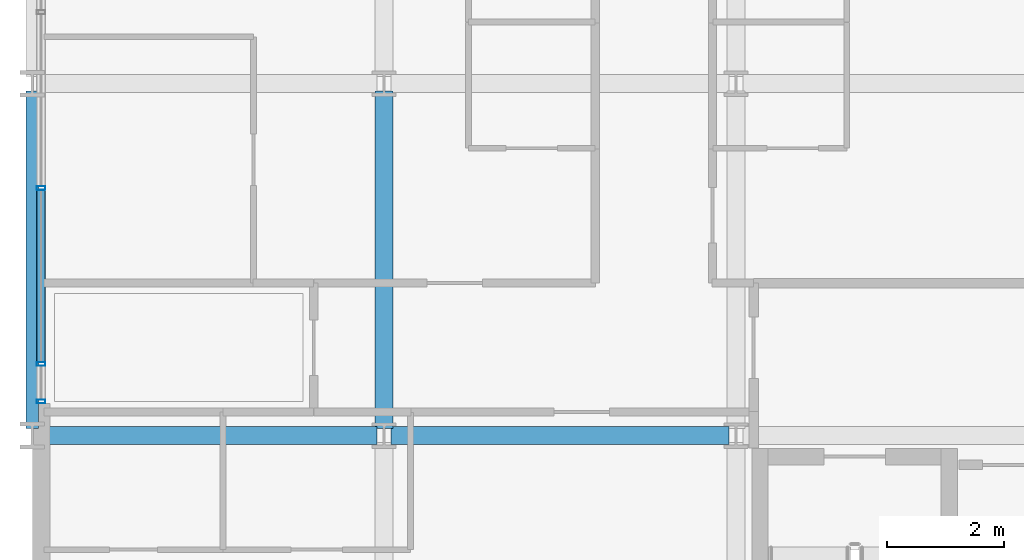
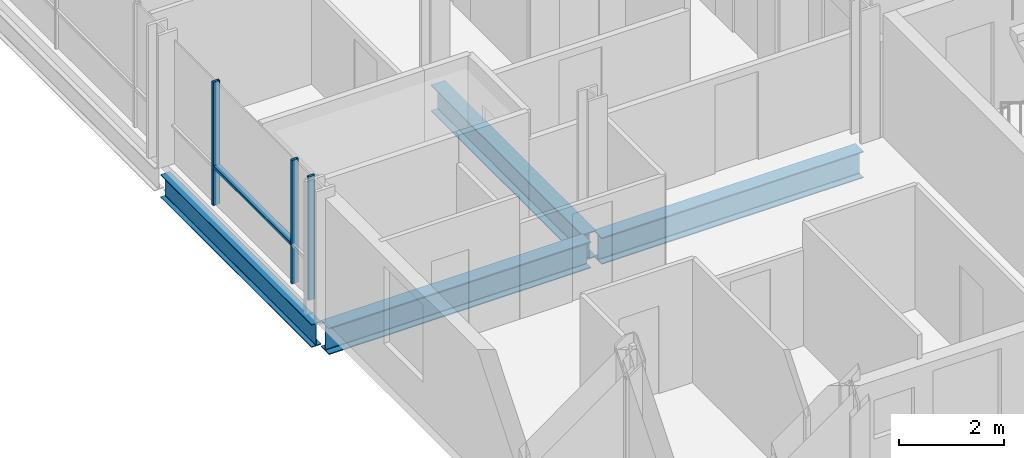
# One storey, part 2 of 40: 4 beams, 4 members, 1 element without a shape of its own.
"""IFC4 building model written with IfcOpenShell, lengths in metres."""

import ifcopenshell
import ifcopenshell.guid

model = None  # the IFC model being written
_history = None  # IfcOwnerHistory: only IFC2X3 demands one
_inside = {}  # id of a spatial element -> (the spatial element, [elements in it])
_under = {}  # id of a project, library or spatial element -> (it, [spatial elements below it])
_declared = {}  # id of a project -> (the project, [libraries it declares])
_typed = {}  # id of a type object -> (the type object, [elements of that type])
_made_of = {}  # id of a material, layer set ... -> (it, [elements and type objects made of it])


def new_model(schema):
    """Start an empty IFC model of exactly this schema.

    Asked for "IFC4X3", IfcOpenShell would pick the latest addendum, in which some entities
    have other attributes; the version numbers below select the first issue.
    IFC2X3 requires an IfcOwnerHistory on every rooted entity: one is made here for all.
    """
    global model, _history
    if schema == "IFC4X3":
        model = ifcopenshell.file(schema_version=(4, 3, 0, 0))
    else:
        model = ifcopenshell.file(schema=schema)
    _inside.clear()
    _under.clear()
    _declared.clear()
    _typed.clear()
    _made_of.clear()
    _history = None
    if model.schema == "IFC2X3":
        org = make("IfcOrganization", Name="unknown")
        user = make(
            "IfcPersonAndOrganization",
            ThePerson=make("IfcPerson", FamilyName="unknown"),
            TheOrganization=org,
        )
        app = make(
            "IfcApplication",
            ApplicationDeveloper=org,
            Version="unknown",
            ApplicationFullName="unknown",
            ApplicationIdentifier="unknown",
        )
        _history = make(
            "IfcOwnerHistory",
            OwningUser=user,
            OwningApplication=app,
            ChangeAction="ADDED",
            CreationDate=0,
        )
    return model


def make(cls, **values):
    """One entity of the class cls with the attributes given. An attribute that is None is left unset."""
    return model.create_entity(
        cls, **{name: value for name, value in values.items() if value is not None}
    )


def rooted(cls, **values):
    """An entity with a GlobalId (a new one), such as an element, a storey or a relation."""
    return make(cls, GlobalId=ifcopenshell.guid.new(), OwnerHistory=_history, **values)


def si_unit(unit_type, name, prefix=None):
    """IfcSIUnit, for example si_unit("LENGTHUNIT", "METRE", prefix="MILLI")."""
    return make("IfcSIUnit", UnitType=unit_type, Prefix=prefix, Name=name)


def assignment(units):
    """IfcUnitAssignment: the units of a project."""
    return None if units is None else make("IfcUnitAssignment", Units=units)


def point(xyz):
    """IfcCartesianPoint."""
    return None if xyz is None else make("IfcCartesianPoint", Coordinates=xyz)


def direction(xyz):
    """IfcDirection."""
    return None if xyz is None else make("IfcDirection", DirectionRatios=xyz)


def frame(location, z_axis=None, x_axis=None):
    """IfcAxis2Placement3D, a coordinate frame: its origin and axes. An axis left out is left unset."""
    return make(
        "IfcAxis2Placement3D",
        Location=point(location),
        Axis=direction(z_axis),
        RefDirection=direction(x_axis),
    )


def frame_2d(location, x_axis=None):
    """IfcAxis2Placement2D, a coordinate frame in the plane: its origin and x axis."""
    return make(
        "IfcAxis2Placement2D", Location=point(location), RefDirection=direction(x_axis)
    )


def origin():
    """The frame at (0, 0, 0) with its axes left unset."""
    return frame((0.0, 0.0, 0.0))


def origin_2d():
    """The frame at (0, 0) in the plane with its x axis left unset."""
    return frame_2d((0.0, 0.0))


def place(relative_to, where):
    """IfcLocalPlacement: puts the frame where relative to a parent placement (None: the world)."""
    return make(
        "IfcLocalPlacement", PlacementRelTo=relative_to, RelativePlacement=where
    )


def context(
    kind, dimensions, precision=None, world=None, true_north=None, identifier=None
):
    """IfcGeometricRepresentationContext, for example the 3D "Model" context."""
    return make(
        "IfcGeometricRepresentationContext",
        ContextIdentifier=identifier,
        ContextType=kind,
        CoordinateSpaceDimension=dimensions,
        Precision=precision,
        WorldCoordinateSystem=world,
        TrueNorth=true_north,
    )


def subcontext(parent, identifier, kind, view, scale=None):
    """IfcGeometricRepresentationSubContext, for example "Body" below "Model"."""
    return make(
        "IfcGeometricRepresentationSubContext",
        ContextIdentifier=identifier,
        ContextType=kind,
        ParentContext=parent,
        TargetScale=scale,
        TargetView=view,
    )


def project(units=None, contexts=None):
    """IfcProject with its units and contexts."""
    return rooted(
        "IfcProject",
        Name="project",
        RepresentationContexts=contexts,
        UnitsInContext=assignment(units),
    )


def spatial(cls, under=None, at=None, **own):
    """A site, building, storey or space (cls), placed at a placement, below another one or the project."""
    s = rooted(cls, ObjectPlacement=at, **own)
    if under is not None:
        _under.setdefault(under.id(), (under, []))[1].append(s)
    return s


def profile(cls, at=None, kind="AREA", **sizes):
    """A parametric profile (cls). Its sizes go by their IFC names, for example OverallWidth=200.0."""
    return make(cls, ProfileType=kind, Position=at, **sizes)


def hollow_rectangle(**sizes):
    """IfcRectangleHollowProfileDef."""
    return profile("IfcRectangleHollowProfileDef", **sizes)


def i_section(**sizes):
    """IfcIShapeProfileDef."""
    return profile("IfcIShapeProfileDef", **sizes)


def extrude(swept, where, along, depth):
    """IfcExtrudedAreaSolid: the profile swept, set in the frame where, extruded along a direction by depth."""
    return make(
        "IfcExtrudedAreaSolid",
        SweptArea=swept,
        Position=where,
        ExtrudedDirection=direction(along),
        Depth=depth,
    )


def shape(context_of_items, identifier, shape_type, items):
    """IfcShapeRepresentation: the items that make up one representation, for example the "Body"."""
    return make(
        "IfcShapeRepresentation",
        ContextOfItems=context_of_items,
        RepresentationIdentifier=identifier,
        RepresentationType=shape_type,
        Items=items,
    )


def material(Name=None, Category=None):
    """IfcMaterial."""
    return make("IfcMaterial", Name=Name, Category=Category)


def layer(
    of_material, thickness, ventilated=None, Name=None, Category=None, Priority=None
):
    """IfcMaterialLayer: one layer of a wall or slab, of a material (None: an air gap)."""
    return make(
        "IfcMaterialLayer",
        Material=of_material,
        LayerThickness=thickness,
        IsVentilated=ventilated,
        Name=Name,
        Category=Category,
        Priority=Priority,
    )


def layer_set(layers, Name=None):
    """IfcMaterialLayerSet."""
    return make("IfcMaterialLayerSet", MaterialLayers=layers, LayerSetName=Name)


def material_profile(
    of_material, cross_section, Name=None, Category=None, Priority=None
):
    """IfcMaterialProfile: a cross section and its material."""
    return make(
        "IfcMaterialProfile",
        Name=Name,
        Material=of_material,
        Profile=cross_section,
        Priority=Priority,
        Category=Category,
    )


def profile_set(profiles, Name=None, composite=None):
    """IfcMaterialProfileSet."""
    return make(
        "IfcMaterialProfileSet",
        Name=Name,
        MaterialProfiles=profiles,
        CompositeProfile=composite,
    )


def made_of(thing, what):
    """Note that an element or type object is made of a material, layer set ...; save() writes the relation."""
    if what is not None:
        _made_of.setdefault(what.id(), (what, []))[1].append(thing)
    return thing


def type_object(cls, material=None, **own):
    """A type object (cls), such as IfcWallType, which elements share."""
    return made_of(rooted(cls, **own), material)


def element(
    cls,
    number,
    at=None,
    inside=None,
    cuts=None,
    type_object=None,
    material=None,
    context=None,
    identifier="Body",
    shape_type=None,
    held_by="IfcProductDefinitionShape",
    body=None,
    shapes=None,
    **own,
):
    """One element of the class cls, such as IfcWall. Its Tag is "e" and its number.

    at: its placement. inside: the storey or other place that contains it. cuts: it is an
    opening in that element (IfcRelVoidsElement). A single representation is given by context,
    identifier, shape_type and body (its items); several are given by shapes. held_by: the class
    of the entity that holds the representations. save() writes the other relations.
    """
    e = rooted(cls, Tag="e%d" % number, ObjectPlacement=at, **own)
    if body is not None:
        shapes = [shape(context, identifier, shape_type, body)]
    if shapes is not None:
        e.Representation = make(held_by, Representations=shapes)
    if inside is not None:
        _inside.setdefault(inside.id(), (inside, []))[1].append(e)
    if cuts is not None:
        rooted(
            "IfcRelVoidsElement", RelatingBuildingElement=cuts, RelatedOpeningElement=e
        )
    if type_object is not None:
        _typed.setdefault(type_object.id(), (type_object, []))[1].append(e)
    return made_of(e, material)


def aggregate(whole, parts):
    """IfcRelAggregates: a whole, such as a stair, and the parts it consists of."""
    return rooted("IfcRelAggregates", RelatingObject=whole, RelatedObjects=parts)


def save(model, path):
    """Write the relations noted so far, then the file.

    IfcRelAggregates (storeys below a building ...), IfcRelContainedInSpatialStructure (elements
    in a storey), IfcRelDefinesByType, IfcRelAssociatesMaterial and IfcRelDeclares: one each for
    every whole, place, type object, material and project.
    """
    for whole, parts in _under.values():
        aggregate(whole, parts)
    for where, things in _inside.values():
        rooted(
            "IfcRelContainedInSpatialStructure",
            RelatedElements=things,
            RelatingStructure=where,
        )
    for kind, things in _typed.values():
        rooted("IfcRelDefinesByType", RelatedObjects=things, RelatingType=kind)
    for what, things in _made_of.values():
        rooted("IfcRelAssociatesMaterial", RelatedObjects=things, RelatingMaterial=what)
    for by, libraries in _declared.values():
        rooted("IfcRelDeclares", RelatingContext=by, RelatedDefinitions=libraries)
    model.write(path)


model = new_model("IFC4")

# Units and contexts
model_context = context("Model", 3, precision=1e-05, world=origin(), true_north=direction((0.0, 1.0)))
body_context = subcontext(model_context, "Body", "Model", "MODEL_VIEW")
ifc_project = project(units=[si_unit("LENGTHUNIT", "METRE"), si_unit("AREAUNIT", "SQUARE_METRE"), si_unit("VOLUMEUNIT", "CUBIC_METRE"), si_unit("PLANEANGLEUNIT", "RADIAN"), si_unit("MASSUNIT", "GRAM", prefix="KILO")], contexts=[model_context])

# Site, building, storey
site_placement = place(None, origin())
site = spatial("IfcSite", under=ifc_project, at=site_placement, CompositionType="ELEMENT")
building_placement = place(site_placement, origin())
building = spatial("IfcBuilding", under=site, at=building_placement, Name="Brevholm Reach", CompositionType="ELEMENT")
storey_placement = place(building_placement, frame((0.0, 0.0, 80.699951171875)))
storey = spatial("IfcBuildingStorey", under=building, at=storey_placement, Name="L23", CompositionType="ELEMENT", Elevation=80.699951171875)

# Beams
ifc_material_1 = material(Name="Structural Steel S355J2", Category="steel")
ifc_material_profile_1 = material_profile(ifc_material_1, i_section(OverallWidth=0.210693359375, OverallDepth=0.53955078125, WebThickness=0.01171875, FlangeThickness=0.018798828125, FilletRadius=0.0126953125, at=origin_2d()), Name="UKB 533x210x109")
ifc_profile_set_1 = profile_set([ifc_material_profile_1], Name="Structural Steel S355J2")
beam_type_1 = type_object("IfcBeamType", Name="BM-SP539", PredefinedType="SPANDREL", material=ifc_profile_set_1)
beam_placement = place(storey_placement, frame((0.0, 10.1201171875, -0.499755859375), z_axis=(0.0, 1.0, 0.0), x_axis=(-1.0, 0.0, 0.0)))
element("IfcBeam", 1, at=beam_placement, inside=storey, type_object=beam_type_1, Name="L23 SP-01B Framing Beam", PredefinedType="SPANDREL", context=body_context, shape_type="SweptSolid", body=[
    extrude(i_section(OverallWidth=0.210693359375, OverallDepth=0.53955078125, WebThickness=0.01171875, FlangeThickness=0.018798828125, FilletRadius=0.0126953125, at=origin_2d()), origin(), (0.0, 0.0, 1.0), 5.759765625),
])
ifc_material_2 = material(Name="Structural Steel S355J2", Category="steel")
ifc_material_profile_2 = material_profile(ifc_material_2, i_section(OverallWidth=0.30712890625, OverallDepth=0.6201171875, WebThickness=0.01416015625, FlangeThickness=0.023681640625, FilletRadius=0.0166015625, at=origin_2d()), Name="UKB 610x305x179")
ifc_profile_set_2 = profile_set([ifc_material_profile_2], Name="Structural Steel S355J2")
beam_type_2 = type_object("IfcBeamType", Name="BM-UKB610H", PredefinedType="USERDEFINED", material=ifc_profile_set_2)
for number, where, z_axis, x_axis, name in (
    (2, (0.1201171875, 10.0, -0.5400390625), (1.0, 0.0, 0.0), (0.0, 1.0, 0.0), "L23 G-06 Framing Beam"),
    (3, (6.1201171875, 10.0, -0.5400390625), (1.0, 0.0, 0.0), (0.0, 1.0, 0.0), "L23 G-06 Framing Beam"),
    (4, (6.0, 10.1201171875, -0.5400390625), (0.0, 1.0, 0.0), (-1.0, 0.0, 0.0), "L23 G-06 Framing Beam"),
):
    element("IfcBeam", number, at=place(storey_placement, frame(where, z_axis=z_axis, x_axis=x_axis)), inside=storey, type_object=beam_type_2, Name=name, ObjectType="GIRDER", PredefinedType="USERDEFINED", context=body_context, shape_type="SweptSolid", body=[
        extrude(i_section(OverallWidth=0.30712890625, OverallDepth=0.6201171875, WebThickness=0.01416015625, FlangeThickness=0.023681640625, FilletRadius=0.0166015625, at=origin_2d()), origin(), (0.0, 0.0, 1.0), 5.759765625),
    ])

# Curtain wall, members
ifc_material_3 = material(Name="Dark Anodised Aluminium 6063-T6 and Solar-Control Glass", Category="aluminium")
ifc_layer = layer(ifc_material_3, 0.14990234375)
ifc_layer_set = layer_set([ifc_layer], Name="Dark Anodised Aluminium 6063-T6 and Solar-Control Glass")
curtain_wall_type = type_object("IfcCurtainWallType", Name="CW-01", PredefinedType="NOTDEFINED", material=ifc_layer_set)
curtain_wall_placement = place(storey_placement, origin())
curtain_wall = element("IfcCurtainWall", 5, at=curtain_wall_placement, inside=storey, type_object=curtain_wall_type, Name="L23 Curtain Wall CW-01", PredefinedType="NOTDEFINED")
ifc_material_4 = material(Name="Dark Anodised Aluminium 6063-T6", Category="aluminium")
ifc_material_profile_3 = material_profile(ifc_material_4, hollow_rectangle(XDim=0.06494140625, YDim=0.14990234375, WallThickness=0.0048828125, InnerFilletRadius=0.0048828125, OuterFilletRadius=0.010009765625, at=origin_2d()), Name="RHS 150x65x5")
ifc_profile_set_3 = profile_set([ifc_material_profile_3], Name="Dark Anodised Aluminium 6063-T6")
member_type_1 = type_object("IfcMemberType", Name="CWM-150", PredefinedType="MULLION", material=ifc_profile_set_3)
member_1_placement = place(storey_placement, frame((0.14990234375, 14.219970703125, 0.0), z_axis=(0.0, 0.0, 1.0), x_axis=(0.0, -1.0, 0.0)))
member_1 = element("IfcMember", 6, at=member_1_placement, type_object=member_type_1, Name="CM-150 Mullion 4", PredefinedType="MULLION", context=body_context, shape_type="SweptSolid", body=[
    extrude(hollow_rectangle(XDim=0.06494140625, YDim=0.14990234375, WallThickness=0.0048828125, InnerFilletRadius=0.0048828125, OuterFilletRadius=0.010009765625, at=origin_2d()), origin(), (0.0, 0.0, 1.0), 2.8701171875),
])
member_2_placement = place(storey_placement, frame((0.14990234375, 11.219970703125, 0.0), z_axis=(0.0, 0.0, 1.0), x_axis=(0.0, -1.0, 0.0)))
member_2 = element("IfcMember", 7, at=member_2_placement, type_object=member_type_1, Name="CM-150 Mullion 5", PredefinedType="MULLION", context=body_context, shape_type="SweptSolid", body=[
    extrude(hollow_rectangle(XDim=0.06494140625, YDim=0.14990234375, WallThickness=0.0048828125, InnerFilletRadius=0.0048828125, OuterFilletRadius=0.010009765625, at=origin_2d()), origin(), (0.0, 0.0, 1.0), 2.8701171875),
])
member_3_placement = place(storey_placement, frame((0.14990234375, 10.58251953125, 0.0), z_axis=(0.0, 0.0, 1.0), x_axis=(0.0, -1.0, 0.0)))
member_3 = element("IfcMember", 8, at=member_3_placement, type_object=member_type_1, Name="CM-150 Mullion 6", PredefinedType="MULLION", context=body_context, shape_type="SweptSolid", body=[
    extrude(hollow_rectangle(XDim=0.06494140625, YDim=0.14990234375, WallThickness=0.0048828125, InnerFilletRadius=0.0048828125, OuterFilletRadius=0.010009765625, at=origin_2d()), origin(), (0.0, 0.0, 1.0), 2.8701171875),
])
ifc_material_5 = material(Name="Dark Anodised Aluminium 6063-T6", Category="aluminium")
ifc_material_profile_4 = material_profile(ifc_material_5, hollow_rectangle(XDim=0.06494140625, YDim=0.14990234375, WallThickness=0.0048828125, InnerFilletRadius=0.0048828125, OuterFilletRadius=0.010009765625, at=origin_2d()), Name="RHS 150x65x5")
ifc_profile_set_4 = profile_set([ifc_material_profile_4], Name="Dark Anodised Aluminium 6063-T6")
member_type_2 = type_object("IfcMemberType", Name="CWT-150", PredefinedType="NOTDEFINED", material=ifc_profile_set_4)
member_4_placement = place(storey_placement, frame((0.14990234375, 14.1875, 0.900146484375), z_axis=(0.0, -1.0, 0.0), x_axis=(0.0, 0.0, 1.0)))
member_4 = element("IfcMember", 9, at=member_4_placement, type_object=member_type_2, Name="CT-150 Transom 4.1", ObjectType="TRANSOM", PredefinedType="USERDEFINED", context=body_context, shape_type="SweptSolid", body=[
    extrude(hollow_rectangle(XDim=0.06494140625, YDim=0.14990234375, WallThickness=0.0048828125, InnerFilletRadius=0.0048828125, OuterFilletRadius=0.010009765625, at=origin_2d()), origin(), (0.0, 0.0, 1.0), 2.93505859375),
])
aggregate(curtain_wall, [member_1, member_2, member_3, member_4])

save(model, "model.ifc")
